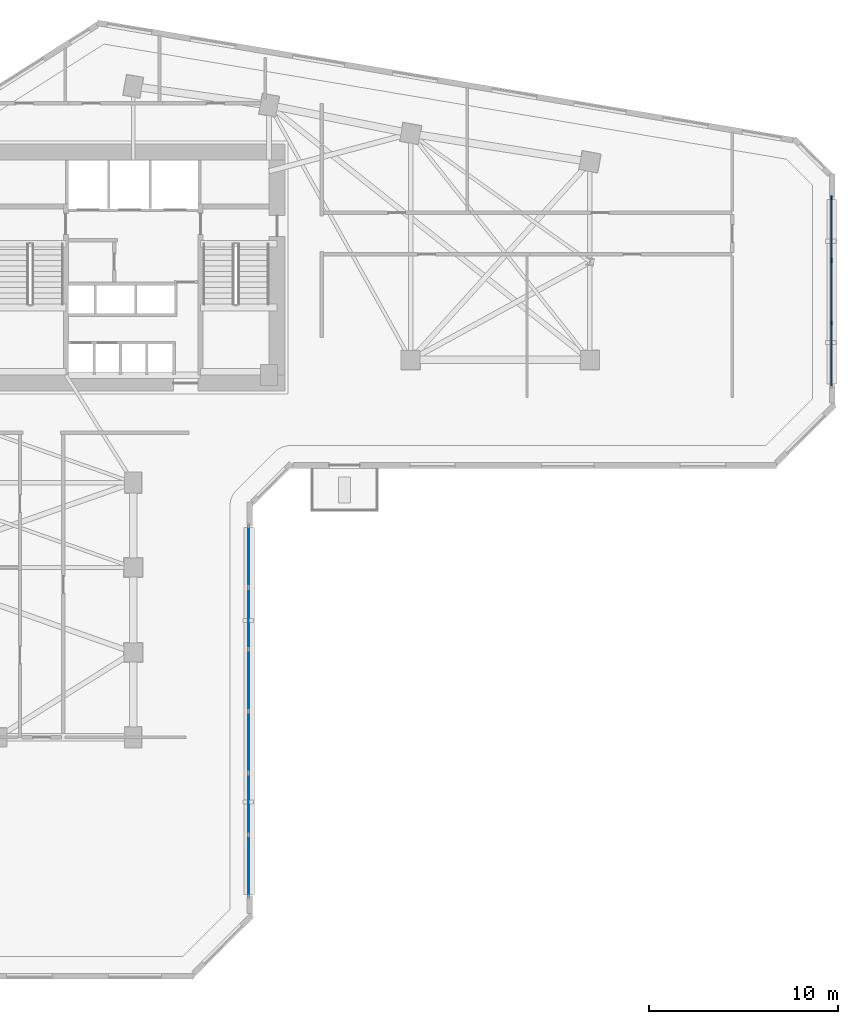
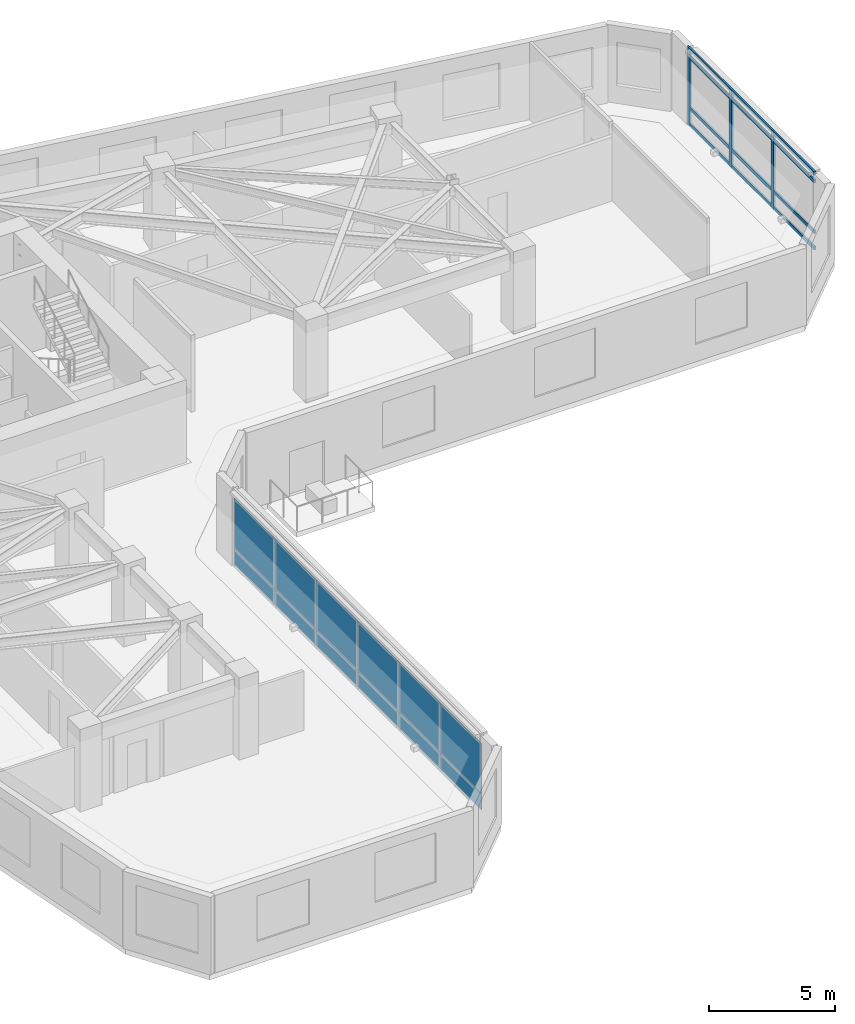
# One storey, part 5 of 12: 12 plates, 7 members, 2 elements without a shape of their own.
"""IFC4 building model written with IfcOpenShell, lengths in metres."""

from ifc_helpers import new_model, si_unit, direction, frame, frame_2d, origin, origin_2d, place, context, subcontext, project, spatial, rectangle, extrude, source, transform, mapped, material, layer, layer_set, material_profile, profile_set, type_object, element, aggregate, save


model = new_model("IFC4")

# Units and contexts
model_context = context("Model", 3, precision=1e-05, world=origin(), true_north=direction((0.0, 1.0)))
body_context = subcontext(model_context, "Body", "Model", "MODEL_VIEW")
ifc_project = project(units=[si_unit("LENGTHUNIT", "METRE"), si_unit("AREAUNIT", "SQUARE_METRE"), si_unit("VOLUMEUNIT", "CUBIC_METRE"), si_unit("PLANEANGLEUNIT", "RADIAN"), si_unit("MASSUNIT", "GRAM", prefix="KILO")], contexts=[model_context])

# Site, building, storey
site_placement = place(None, origin())
site = spatial("IfcSite", under=ifc_project, at=site_placement, CompositionType="ELEMENT")
building_placement = place(site_placement, origin())
building = spatial("IfcBuilding", under=site, at=building_placement, Name="Calvemar Wedge Station Tower", CompositionType="ELEMENT")
storey_placement = place(building_placement, frame((0.0, 0.0, 39.0)))
storey = spatial("IfcBuildingStorey", under=building, at=storey_placement, Name="L09", CompositionType="ELEMENT", Elevation=39.0)

# Curtain wall, members
ifc_material_1 = material(Name="Anodised aluminium 6063-T6", Category="aluminium")
curtain_wall_type = type_object("IfcCurtainWallType", Name="CW1", PredefinedType="NOTDEFINED", material=ifc_material_1)
curtain_wall_1_placement = place(storey_placement, origin())
curtain_wall_1 = element("IfcCurtainWall", 1, at=curtain_wall_1_placement, inside=storey, type_object=curtain_wall_type, Name="Storey L09 CW1 Recessed Unitised Curtain Wall 8", PredefinedType="NOTDEFINED")
ifc_material_profile_1 = material_profile(ifc_material_1, rectangle(XDim=0.080078125, YDim=0.219970703125, at=origin_2d()), Name="AL-MUL-80x220")
ifc_profile_set_1 = profile_set([ifc_material_profile_1], Name="Anodised aluminium 6063-T6")
member_type_1 = type_object("IfcMemberType", Name="CW1-MUL", PredefinedType="MULLION", material=ifc_profile_set_1)
shared_shape_1 = source(origin(), body_context, "Body", "SweptSolid", [
    extrude(rectangle(XDim=0.080078125, YDim=0.219970703125, at=origin_2d()), origin(), (0.0, 0.0, 1.0), 3.800048828125),
])
member_1_placement = place(storey_placement, frame((60.7900390625, 36.947509765625, -0.050048828125), z_axis=(0.0, 0.0, 1.0), x_axis=(1.0, 0.0, 0.0)))
member_1 = element("IfcMember", 2, at=member_1_placement, type_object=member_type_1, Name="CW1 mullion 2", PredefinedType="MULLION", context=body_context, shape_type="MappedRepresentation", body=[
    mapped(shared_shape_1, transform((0.0, 0.0, 0.0), scale=1.0)),
])
member_2_placement = place(storey_placement, frame((60.7900390625, 40.272705078125, -0.050048828125), z_axis=(0.0, 0.0, 1.0), x_axis=(1.0, 0.0, 0.0)))
member_2 = element("IfcMember", 3, at=member_2_placement, type_object=member_type_1, Name="CW1 mullion 3", PredefinedType="MULLION", context=body_context, shape_type="MappedRepresentation", body=[
    mapped(shared_shape_1, transform((0.0, 0.0, 0.0), scale=1.0)),
])
member_3_placement = place(storey_placement, frame((60.7900390625, 43.597900390625, -0.050048828125), z_axis=(0.0, 0.0, 1.0), x_axis=(1.0, 0.0, 0.0)))
member_3 = element("IfcMember", 4, at=member_3_placement, type_object=member_type_1, Name="CW1 mullion 4", PredefinedType="MULLION", context=body_context, shape_type="MappedRepresentation", body=[
    mapped(shared_shape_1, transform((0.0, 0.0, 0.0), scale=1.0)),
])
ifc_material_profile_2 = material_profile(ifc_material_1, rectangle(XDim=0.080078125, YDim=0.159912109375, at=origin_2d()), Name="AL-TRN-80x160")
ifc_profile_set_2 = profile_set([ifc_material_profile_2], Name="Anodised aluminium 6063-T6")
member_type_2 = type_object("IfcMemberType", Name="CW1-TRN", PredefinedType="USERDEFINED", material=ifc_profile_set_2)
shared_shape_2 = source(origin(), body_context, "Body", "SweptSolid", [
    extrude(rectangle(XDim=0.080078125, YDim=0.159912109375, at=origin_2d()), origin(), (0.0, 0.0, 1.0), 9.975830078125),
])
member_4_placement = place(storey_placement, frame((60.7900390625, 33.6220703125, 0.06005859375), z_axis=(0.0, 1.0, 0.0), x_axis=(-1.0, 0.0, 0.0)))
member_4 = element("IfcMember", 5, at=member_4_placement, type_object=member_type_2, Name="CW1 transom 1", ObjectType="TRANSOM", PredefinedType="USERDEFINED", context=body_context, shape_type="MappedRepresentation", body=[
    mapped(shared_shape_2, transform((0.0, 0.0, 0.0), scale=1.0)),
])
member_5_placement = place(storey_placement, frame((60.7900390625, 33.6220703125, 0.85009765625), z_axis=(0.0, 1.0, 0.0), x_axis=(-1.0, 0.0, 0.0)))
member_5 = element("IfcMember", 6, at=member_5_placement, type_object=member_type_2, Name="CW1 transom 2", ObjectType="TRANSOM", PredefinedType="USERDEFINED", context=body_context, shape_type="MappedRepresentation", body=[
    mapped(shared_shape_2, transform((0.0, 0.0, 0.0), scale=1.0)),
])
member_6_placement = place(storey_placement, frame((60.7900390625, 33.6220703125, 3.300048828125), z_axis=(0.0, 1.0, 0.0), x_axis=(-1.0, 0.0, 0.0)))
member_6 = element("IfcMember", 7, at=member_6_placement, type_object=member_type_2, Name="CW1 transom 3", ObjectType="TRANSOM", PredefinedType="USERDEFINED", context=body_context, shape_type="MappedRepresentation", body=[
    mapped(shared_shape_2, transform((0.0, 0.0, 0.0), scale=1.0)),
])
member_7_placement = place(storey_placement, frame((60.7900390625, 33.6220703125, 3.68994140625), z_axis=(0.0, 1.0, 0.0), x_axis=(-1.0, 0.0, 0.0)))
member_7 = element("IfcMember", 8, at=member_7_placement, type_object=member_type_2, Name="CW1 transom 4", ObjectType="TRANSOM", PredefinedType="USERDEFINED", context=body_context, shape_type="MappedRepresentation", body=[
    mapped(shared_shape_2, transform((0.0, 0.0, 0.0), scale=1.0)),
])
aggregate(curtain_wall_1, [member_1, member_2, member_3, member_4, member_5, member_6, member_7])

# Curtain wall, plates
curtain_wall_2_placement = place(storey_placement, origin())
curtain_wall_2 = element("IfcCurtainWall", 9, at=curtain_wall_2_placement, inside=storey, type_object=curtain_wall_type, Name="Storey L09 CW1 Recessed Unitised Curtain Wall 4", PredefinedType="NOTDEFINED")
ifc_material_2 = material(Name="Low-E laminated insulated glass", Category="glass")
ifc_layer_1 = layer(ifc_material_2, 0.028076171875)
ifc_layer_set_1 = layer_set([ifc_layer_1], Name="Low-E laminated insulated glass")
plate_type_1 = type_object("IfcPlateType", Name="CW1-GLZ", PredefinedType="CURTAIN_PANEL", material=ifc_layer_set_1)
plate_1_placement = place(storey_placement, frame((29.91796875, 6.580078125, 0.8701171875), z_axis=(0.0, 0.0, 1.0), x_axis=(0.0, 1.0, 0.0)))
plate_1 = element("IfcPlate", 10, at=plate_1_placement, type_object=plate_type_1, Name="CW1 vision glass panel 1", PredefinedType="CURTAIN_PANEL", context=body_context, shape_type="SweptSolid", body=[
    extrude(rectangle(XDim=3.24072265625, YDim=0.028076171875, at=frame_2d((1.620361328125, 0.0))), origin(), (0.0, 0.0, 1.0), 2.409912109375),
])
plate_2_placement = place(storey_placement, frame((29.91796875, 9.856689453125, 0.8701171875), z_axis=(0.0, 0.0, 1.0), x_axis=(0.0, 1.0, 0.0)))
plate_2 = element("IfcPlate", 11, at=plate_2_placement, type_object=plate_type_1, Name="CW1 vision glass panel 2", PredefinedType="CURTAIN_PANEL", context=body_context, shape_type="SweptSolid", body=[
    extrude(rectangle(XDim=3.24072265625, YDim=0.028076171875, at=frame_2d((1.620361328125, 0.0))), origin(), (0.0, 0.0, 1.0), 2.409912109375),
])
plate_3_placement = place(storey_placement, frame((29.91796875, 13.13330078125, 0.8701171875), z_axis=(0.0, 0.0, 1.0), x_axis=(0.0, 1.0, 0.0)))
plate_3 = element("IfcPlate", 12, at=plate_3_placement, type_object=plate_type_1, Name="CW1 vision glass panel 3", PredefinedType="CURTAIN_PANEL", context=body_context, shape_type="SweptSolid", body=[
    extrude(rectangle(XDim=3.24072265625, YDim=0.028076171875, at=frame_2d((1.620361328125, 0.0))), origin(), (0.0, 0.0, 1.0), 2.409912109375),
])
plate_4_placement = place(storey_placement, frame((29.91796875, 16.41015625, 0.8701171875), z_axis=(0.0, 0.0, 1.0), x_axis=(0.0, 1.0, 0.0)))
plate_4 = element("IfcPlate", 13, at=plate_4_placement, type_object=plate_type_1, Name="CW1 vision glass panel 4", PredefinedType="CURTAIN_PANEL", context=body_context, shape_type="SweptSolid", body=[
    extrude(rectangle(XDim=3.24072265625, YDim=0.028076171875, at=frame_2d((1.620361328125, 0.0))), origin(), (0.0, 0.0, 1.0), 2.409912109375),
])
plate_5_placement = place(storey_placement, frame((29.91796875, 19.686767578125, 0.8701171875), z_axis=(0.0, 0.0, 1.0), x_axis=(0.0, 1.0, 0.0)))
plate_5 = element("IfcPlate", 14, at=plate_5_placement, type_object=plate_type_1, Name="CW1 vision glass panel 5", PredefinedType="CURTAIN_PANEL", context=body_context, shape_type="SweptSolid", body=[
    extrude(rectangle(XDim=3.24072265625, YDim=0.028076171875, at=frame_2d((1.620361328125, 0.0))), origin(), (0.0, 0.0, 1.0), 2.409912109375),
])
plate_6_placement = place(storey_placement, frame((29.91796875, 22.96337890625, 0.8701171875), z_axis=(0.0, 0.0, 1.0), x_axis=(0.0, 1.0, 0.0)))
plate_6 = element("IfcPlate", 15, at=plate_6_placement, type_object=plate_type_1, Name="CW1 vision glass panel 6", PredefinedType="CURTAIN_PANEL", context=body_context, shape_type="SweptSolid", body=[
    extrude(rectangle(XDim=3.24072265625, YDim=0.028076171875, at=frame_2d((1.620361328125, 0.0))), origin(), (0.0, 0.0, 1.0), 2.409912109375),
])
ifc_material_3 = material(Name="Oxidized bronze aluminium spandrel panel 5005-H24", Category="aluminium")
ifc_layer_2 = layer(ifc_material_3, 0.0400390625)
ifc_layer_set_2 = layer_set([ifc_layer_2], Name="Oxidized bronze aluminium spandrel panel 5005-H24")
plate_type_2 = type_object("IfcPlateType", Name="CW1-SPD", PredefinedType="SHEET", material=ifc_layer_set_2)
plate_7_placement = place(storey_placement, frame((29.91796875, 6.580078125, 0.080078125), z_axis=(0.0, 0.0, 1.0), x_axis=(0.0, 1.0, 0.0)))
plate_7 = element("IfcPlate", 16, at=plate_7_placement, type_object=plate_type_2, Name="CW1 bronze spandrel panel 1", PredefinedType="SHEET", context=body_context, shape_type="SweptSolid", body=[
    extrude(rectangle(XDim=3.24072265625, YDim=0.0400390625, at=frame_2d((1.620361328125, 0.0))), origin(), (0.0, 0.0, 1.0), 0.75),
])
plate_8_placement = place(storey_placement, frame((29.91796875, 9.856689453125, 0.080078125), z_axis=(0.0, 0.0, 1.0), x_axis=(0.0, 1.0, 0.0)))
plate_8 = element("IfcPlate", 17, at=plate_8_placement, type_object=plate_type_2, Name="CW1 bronze spandrel panel 2", PredefinedType="SHEET", context=body_context, shape_type="SweptSolid", body=[
    extrude(rectangle(XDim=3.24072265625, YDim=0.0400390625, at=frame_2d((1.620361328125, 0.0))), origin(), (0.0, 0.0, 1.0), 0.75),
])
plate_9_placement = place(storey_placement, frame((29.91796875, 13.13330078125, 0.080078125), z_axis=(0.0, 0.0, 1.0), x_axis=(0.0, 1.0, 0.0)))
plate_9 = element("IfcPlate", 18, at=plate_9_placement, type_object=plate_type_2, Name="CW1 bronze spandrel panel 3", PredefinedType="SHEET", context=body_context, shape_type="SweptSolid", body=[
    extrude(rectangle(XDim=3.24072265625, YDim=0.0400390625, at=frame_2d((1.620361328125, 0.0))), origin(), (0.0, 0.0, 1.0), 0.75),
])
plate_10_placement = place(storey_placement, frame((29.91796875, 16.41015625, 0.080078125), z_axis=(0.0, 0.0, 1.0), x_axis=(0.0, 1.0, 0.0)))
plate_10 = element("IfcPlate", 19, at=plate_10_placement, type_object=plate_type_2, Name="CW1 bronze spandrel panel 4", PredefinedType="SHEET", context=body_context, shape_type="SweptSolid", body=[
    extrude(rectangle(XDim=3.24072265625, YDim=0.0400390625, at=frame_2d((1.620361328125, 0.0))), origin(), (0.0, 0.0, 1.0), 0.75),
])
plate_11_placement = place(storey_placement, frame((29.91796875, 19.686767578125, 0.080078125), z_axis=(0.0, 0.0, 1.0), x_axis=(0.0, 1.0, 0.0)))
plate_11 = element("IfcPlate", 20, at=plate_11_placement, type_object=plate_type_2, Name="CW1 bronze spandrel panel 5", PredefinedType="SHEET", context=body_context, shape_type="SweptSolid", body=[
    extrude(rectangle(XDim=3.24072265625, YDim=0.0400390625, at=frame_2d((1.620361328125, 0.0))), origin(), (0.0, 0.0, 1.0), 0.75),
])
plate_12_placement = place(storey_placement, frame((29.91796875, 22.96337890625, 0.080078125), z_axis=(0.0, 0.0, 1.0), x_axis=(0.0, 1.0, 0.0)))
plate_12 = element("IfcPlate", 21, at=plate_12_placement, type_object=plate_type_2, Name="CW1 bronze spandrel panel 6", PredefinedType="SHEET", context=body_context, shape_type="SweptSolid", body=[
    extrude(rectangle(XDim=3.24072265625, YDim=0.0400390625, at=frame_2d((1.620361328125, 0.0))), origin(), (0.0, 0.0, 1.0), 0.75),
])
aggregate(curtain_wall_2, [plate_7, plate_1, plate_8, plate_2, plate_9, plate_3, plate_10, plate_4, plate_11, plate_5, plate_12, plate_6])

save(model, "model.ifc")
